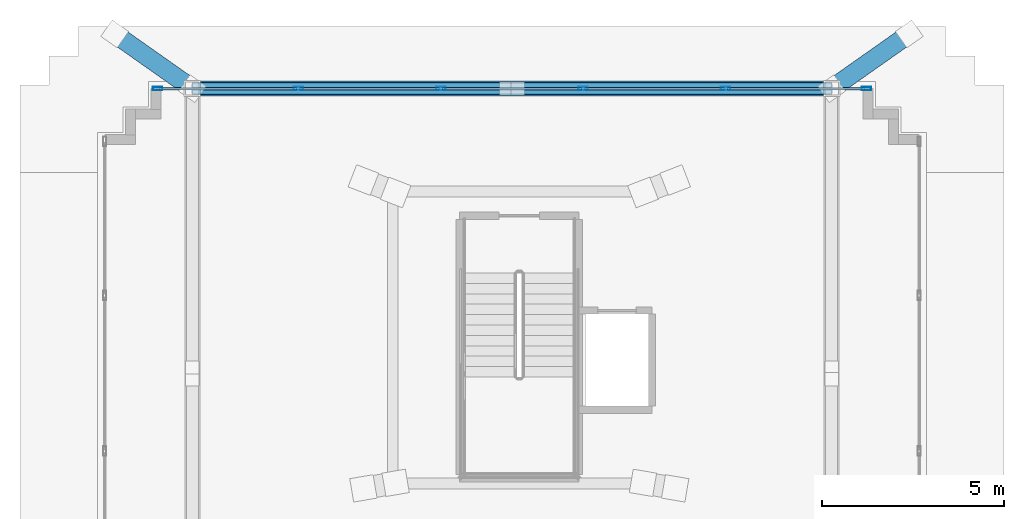
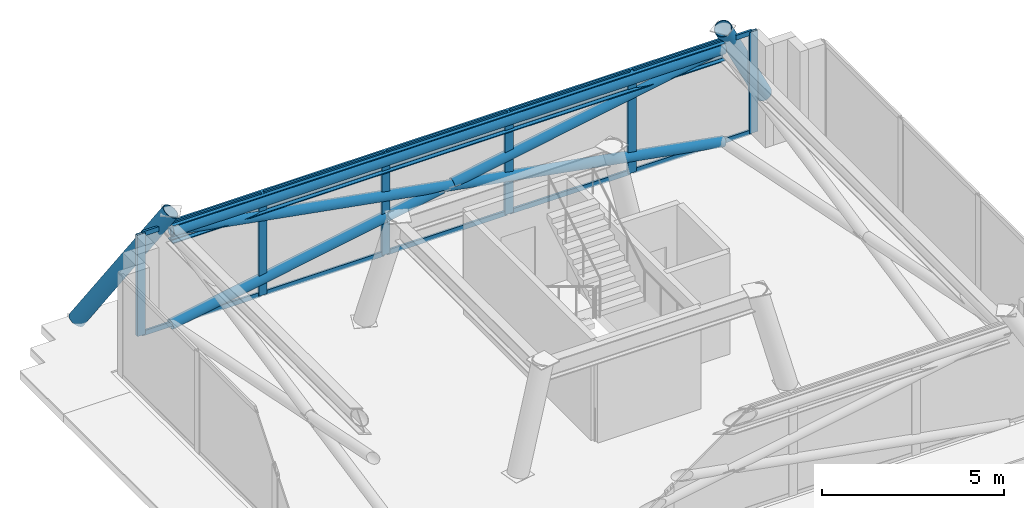
# One storey, part 4 of 8: 22 members, 1 beam, 1 element without a shape of its own.
"""IFC4 building model written with IfcOpenShell, lengths in metres."""

from ifc_helpers import new_model, si_unit, direction, frame, origin, origin_2d, place, context, subcontext, project, spatial, hollow_rectangle, hollow_circle, i_section, extrude, material, layer, layer_set, material_profile, profile_set, type_object, element, aggregate, save


model = new_model("IFC4")

# Units and contexts
model_context = context("Model", 3, precision=1e-05, world=origin(), true_north=direction((0.0, 1.0)))
body_context = subcontext(model_context, "Body", "Model", "MODEL_VIEW")
ifc_project = project(units=[si_unit("LENGTHUNIT", "METRE"), si_unit("AREAUNIT", "SQUARE_METRE"), si_unit("VOLUMEUNIT", "CUBIC_METRE"), si_unit("PLANEANGLEUNIT", "RADIAN"), si_unit("MASSUNIT", "GRAM", prefix="KILO")], contexts=[model_context])

# Site, building, storey
site_placement = place(None, origin())
site = spatial("IfcSite", under=ifc_project, at=site_placement, CompositionType="ELEMENT")
building_placement = place(site_placement, origin())
building = spatial("IfcBuilding", under=site, at=building_placement, Name="Qobustan Lattice House", CompositionType="ELEMENT")
storey_placement = place(building_placement, frame((0.0, 0.0, 289.199951171875)))
storey = spatial("IfcBuildingStorey", under=building, at=storey_placement, Name="L81", CompositionType="ELEMENT", Elevation=289.199951171875)

# Beam
ifc_material_1 = material(Name="Steel S355", Category="steel")
ifc_material_profile_1 = material_profile(ifc_material_1, i_section(OverallWidth=0.300048828125, OverallDepth=0.60009765625, WebThickness=0.015380859375, FlangeThickness=0.030029296875, FilletRadius=0.027099609375, at=origin_2d()), Name="HEB600")
ifc_profile_set_1 = profile_set([ifc_material_profile_1], Name="Steel S355")
beam_type = type_object("IfcBeamType", Name="BM-POD-HEB600", PredefinedType="USERDEFINED", material=ifc_profile_set_1)
beam_placement = place(storey_placement, frame((8.56640625, 6.20849609375, 3.10009765625), z_axis=(-1.0, 0.0, 0.0), x_axis=(0.0, -1.0, 0.0)))
element("IfcBeam", 1, at=beam_placement, inside=storey, type_object=beam_type, Name="L81 crown perimeter ring beam 3", ObjectType="GIRDER", PredefinedType="USERDEFINED", context=body_context, shape_type="SweptSolid", body=[
    extrude(i_section(OverallWidth=0.300048828125, OverallDepth=0.60009765625, WebThickness=0.015380859375, FlangeThickness=0.030029296875, FilletRadius=0.027099609375, at=origin_2d()), origin(), (0.0, 0.0, 1.0), 17.532958984375),
])

# Curtain wall, members
ifc_material_2 = material(Name="Anodised aluminium and low-E glazing", Category="aluminium")
ifc_layer = layer(ifc_material_2, 0.219970703125)
ifc_layer_set = layer_set([ifc_layer], Name="Anodised aluminium and low-E glazing")
curtain_wall_type = type_object("IfcCurtainWallType", Name="CW-CRN-01", PredefinedType="USERDEFINED", material=ifc_layer_set)
curtain_wall_placement = place(storey_placement, origin())
curtain_wall = element("IfcCurtainWall", 2, at=curtain_wall_placement, inside=storey, type_object=curtain_wall_type, Name="L81 glass-point crown faceted curtain wall 10", ObjectType="CURTAIN WALL", PredefinedType="USERDEFINED")
ifc_material_3 = material(Name="Anodised aluminium EN AW-6063 T6", Category="aluminium")
ifc_material_profile_2 = material_profile(ifc_material_3, hollow_rectangle(XDim=0.090087890625, YDim=0.260009765625, WallThickness=0.006103515625, at=origin_2d()), Name="CWM-CROWN-260x90")
ifc_profile_set_2 = profile_set([ifc_material_profile_2], Name="Anodised aluminium EN AW-6063 T6")
member_type_1 = type_object("IfcMemberType", Name="CWM-CRN-260", PredefinedType="MULLION", material=ifc_profile_set_2)
member_1_placement = place(storey_placement, frame((-9.92138671875, 6.20849609375, 0.0), z_axis=(0.0, 0.0, 1.0), x_axis=(0.0, 1.0, 0.0)))
member_1 = element("IfcMember", 3, at=member_1_placement, type_object=member_type_1, Name="CW-CR mullion 1", PredefinedType="MULLION", context=body_context, shape_type="SweptSolid", body=[
    extrude(hollow_rectangle(XDim=0.090087890625, YDim=0.260009765625, WallThickness=0.006103515625, at=origin_2d()), origin(), (0.0, 0.0, 1.0), 3.400146484375),
])
member_2_placement = place(storey_placement, frame((-6.059814453125, 6.20849609375, 0.0), z_axis=(0.0, 0.0, 1.0), x_axis=(0.0, 1.0, 0.0)))
member_2 = element("IfcMember", 4, at=member_2_placement, type_object=member_type_1, Name="CW-CR mullion 2", PredefinedType="MULLION", context=body_context, shape_type="SweptSolid", body=[
    extrude(hollow_rectangle(XDim=0.090087890625, YDim=0.260009765625, WallThickness=0.006103515625, at=origin_2d()), origin(), (0.0, 0.0, 1.0), 3.400146484375),
])
member_3_placement = place(storey_placement, frame((-2.1533203125, 6.20849609375, 0.0), z_axis=(0.0, 0.0, 1.0), x_axis=(0.0, 1.0, 0.0)))
member_3 = element("IfcMember", 5, at=member_3_placement, type_object=member_type_1, Name="CW-CR mullion 3", PredefinedType="MULLION", context=body_context, shape_type="SweptSolid", body=[
    extrude(hollow_rectangle(XDim=0.090087890625, YDim=0.260009765625, WallThickness=0.006103515625, at=origin_2d()), origin(), (0.0, 0.0, 1.0), 3.400146484375),
])
member_4_placement = place(storey_placement, frame((1.75341796875, 6.20849609375, 0.0), z_axis=(0.0, 0.0, 1.0), x_axis=(0.0, 1.0, 0.0)))
member_4 = element("IfcMember", 6, at=member_4_placement, type_object=member_type_1, Name="CW-CR mullion 4", PredefinedType="MULLION", context=body_context, shape_type="SweptSolid", body=[
    extrude(hollow_rectangle(XDim=0.090087890625, YDim=0.260009765625, WallThickness=0.006103515625, at=origin_2d()), origin(), (0.0, 0.0, 1.0), 3.400146484375),
])
member_5_placement = place(storey_placement, frame((5.659912109375, 6.20849609375, 0.0), z_axis=(0.0, 0.0, 1.0), x_axis=(0.0, 1.0, 0.0)))
member_5 = element("IfcMember", 7, at=member_5_placement, type_object=member_type_1, Name="CW-CR mullion 5", PredefinedType="MULLION", context=body_context, shape_type="SweptSolid", body=[
    extrude(hollow_rectangle(XDim=0.090087890625, YDim=0.260009765625, WallThickness=0.006103515625, at=origin_2d()), origin(), (0.0, 0.0, 1.0), 3.400146484375),
])
member_6_placement = place(storey_placement, frame((9.521484375, 6.20849609375, 0.0), z_axis=(0.0, 0.0, 1.0), x_axis=(0.0, 1.0, 0.0)))
member_6 = element("IfcMember", 8, at=member_6_placement, type_object=member_type_1, Name="CW-CR mullion 6", PredefinedType="MULLION", context=body_context, shape_type="SweptSolid", body=[
    extrude(hollow_rectangle(XDim=0.090087890625, YDim=0.260009765625, WallThickness=0.006103515625, at=origin_2d()), origin(), (0.0, 0.0, 1.0), 3.400146484375),
])
ifc_material_4 = material(Name="Anodised aluminium EN AW-6063 T6", Category="aluminium")
ifc_material_profile_3 = material_profile(ifc_material_4, hollow_rectangle(XDim=0.06494140625, YDim=0.159912109375, WallThickness=0.00390625, at=origin_2d()), Name="CWT-160x65")
ifc_profile_set_3 = profile_set([ifc_material_profile_3], Name="Anodised aluminium EN AW-6063 T6")
member_type_2 = type_object("IfcMemberType", Name="CWT-HOR-160", PredefinedType="USERDEFINED", material=ifc_profile_set_3)
member_7_placement = place(storey_placement, frame((-9.87646484375, 6.20849609375, 0.032470703125), z_axis=(1.0, 0.0, 0.0), x_axis=(0.0, 1.0, 0.0)))
member_7 = element("IfcMember", 9, at=member_7_placement, type_object=member_type_2, Name="CW-CR transom 1.1", ObjectType="TRANSOM", PredefinedType="USERDEFINED", context=body_context, shape_type="SweptSolid", body=[
    extrude(hollow_rectangle(XDim=0.06494140625, YDim=0.159912109375, WallThickness=0.00390625, at=origin_2d()), origin(), (0.0, 0.0, 1.0), 3.771484375),
])
member_8_placement = place(storey_placement, frame((-9.87646484375, 6.20849609375, 3.367431640625), z_axis=(1.0, 0.0, 0.0), x_axis=(0.0, 1.0, 0.0)))
member_8 = element("IfcMember", 10, at=member_8_placement, type_object=member_type_2, Name="CW-CR transom 1.2", ObjectType="TRANSOM", PredefinedType="USERDEFINED", context=body_context, shape_type="SweptSolid", body=[
    extrude(hollow_rectangle(XDim=0.06494140625, YDim=0.159912109375, WallThickness=0.00390625, at=origin_2d()), origin(), (0.0, 0.0, 1.0), 3.771484375),
])
member_9_placement = place(storey_placement, frame((-6.014892578125, 6.20849609375, 0.032470703125), z_axis=(1.0, 0.0, 0.0), x_axis=(0.0, 1.0, 0.0)))
member_9 = element("IfcMember", 11, at=member_9_placement, type_object=member_type_2, Name="CW-CR transom 2.1", ObjectType="TRANSOM", PredefinedType="USERDEFINED", context=body_context, shape_type="SweptSolid", body=[
    extrude(hollow_rectangle(XDim=0.06494140625, YDim=0.159912109375, WallThickness=0.00390625, at=origin_2d()), origin(), (0.0, 0.0, 1.0), 3.816650390625),
])
member_10_placement = place(storey_placement, frame((-6.014892578125, 6.20849609375, 3.367431640625), z_axis=(1.0, 0.0, 0.0), x_axis=(0.0, 1.0, 0.0)))
member_10 = element("IfcMember", 12, at=member_10_placement, type_object=member_type_2, Name="CW-CR transom 2.2", ObjectType="TRANSOM", PredefinedType="USERDEFINED", context=body_context, shape_type="SweptSolid", body=[
    extrude(hollow_rectangle(XDim=0.06494140625, YDim=0.159912109375, WallThickness=0.00390625, at=origin_2d()), origin(), (0.0, 0.0, 1.0), 3.816650390625),
])
member_11_placement = place(storey_placement, frame((-2.1083984375, 6.20849609375, 0.032470703125), z_axis=(1.0, 0.0, 0.0), x_axis=(0.0, 1.0, 0.0)))
member_11 = element("IfcMember", 13, at=member_11_placement, type_object=member_type_2, Name="CW-CR transom 3.1", ObjectType="TRANSOM", PredefinedType="USERDEFINED", context=body_context, shape_type="SweptSolid", body=[
    extrude(hollow_rectangle(XDim=0.06494140625, YDim=0.159912109375, WallThickness=0.00390625, at=origin_2d()), origin(), (0.0, 0.0, 1.0), 3.816650390625),
])
member_12_placement = place(storey_placement, frame((-2.1083984375, 6.20849609375, 3.367431640625), z_axis=(1.0, 0.0, 0.0), x_axis=(0.0, 1.0, 0.0)))
member_12 = element("IfcMember", 14, at=member_12_placement, type_object=member_type_2, Name="CW-CR transom 3.2", ObjectType="TRANSOM", PredefinedType="USERDEFINED", context=body_context, shape_type="SweptSolid", body=[
    extrude(hollow_rectangle(XDim=0.06494140625, YDim=0.159912109375, WallThickness=0.00390625, at=origin_2d()), origin(), (0.0, 0.0, 1.0), 3.816650390625),
])
member_13_placement = place(storey_placement, frame((1.79833984375, 6.20849609375, 0.032470703125), z_axis=(1.0, 0.0, 0.0), x_axis=(0.0, 1.0, 0.0)))
member_13 = element("IfcMember", 15, at=member_13_placement, type_object=member_type_2, Name="CW-CR transom 4.1", ObjectType="TRANSOM", PredefinedType="USERDEFINED", context=body_context, shape_type="SweptSolid", body=[
    extrude(hollow_rectangle(XDim=0.06494140625, YDim=0.159912109375, WallThickness=0.00390625, at=origin_2d()), origin(), (0.0, 0.0, 1.0), 3.816650390625),
])
member_14_placement = place(storey_placement, frame((1.79833984375, 6.20849609375, 3.367431640625), z_axis=(1.0, 0.0, 0.0), x_axis=(0.0, 1.0, 0.0)))
member_14 = element("IfcMember", 16, at=member_14_placement, type_object=member_type_2, Name="CW-CR transom 4.2", ObjectType="TRANSOM", PredefinedType="USERDEFINED", context=body_context, shape_type="SweptSolid", body=[
    extrude(hollow_rectangle(XDim=0.06494140625, YDim=0.159912109375, WallThickness=0.00390625, at=origin_2d()), origin(), (0.0, 0.0, 1.0), 3.816650390625),
])
member_15_placement = place(storey_placement, frame((5.704833984375, 6.20849609375, 0.032470703125), z_axis=(1.0, 0.0, 0.0), x_axis=(0.0, 1.0, 0.0)))
member_15 = element("IfcMember", 17, at=member_15_placement, type_object=member_type_2, Name="CW-CR transom 5.1", ObjectType="TRANSOM", PredefinedType="USERDEFINED", context=body_context, shape_type="SweptSolid", body=[
    extrude(hollow_rectangle(XDim=0.06494140625, YDim=0.159912109375, WallThickness=0.00390625, at=origin_2d()), origin(), (0.0, 0.0, 1.0), 3.771728515625),
])
member_16_placement = place(storey_placement, frame((5.704833984375, 6.20849609375, 3.367431640625), z_axis=(1.0, 0.0, 0.0), x_axis=(0.0, 1.0, 0.0)))
member_16 = element("IfcMember", 18, at=member_16_placement, type_object=member_type_2, Name="CW-CR transom 5.2", ObjectType="TRANSOM", PredefinedType="USERDEFINED", context=body_context, shape_type="SweptSolid", body=[
    extrude(hollow_rectangle(XDim=0.06494140625, YDim=0.159912109375, WallThickness=0.00390625, at=origin_2d()), origin(), (0.0, 0.0, 1.0), 3.771728515625),
])
aggregate(curtain_wall, [member_1, member_2, member_3, member_4, member_5, member_6, member_7, member_8, member_9, member_10, member_11, member_12, member_13, member_14, member_15, member_16])

# Members
ifc_material_5 = material(Name="Steel S355", Category="steel")
ifc_material_profile_4 = material_profile(ifc_material_5, hollow_circle(Radius=0.161865234375, WallThickness=0.012451171875, at=origin_2d()), Name="CHS323.9x12.5")
ifc_profile_set_4 = profile_set([ifc_material_profile_4], Name="Steel S355")
member_type_3 = type_object("IfcMemberType", Name="MEM-CBR-CHS324", PredefinedType="BRACE", material=ifc_profile_set_4)
member_17_placement = place(storey_placement, frame((8.56640625, 6.20849609375, 0.01513671875), z_axis=(-0.98409647917, 0.0, 0.177634793003), x_axis=(0.0, -1.0, 0.0)))
element("IfcMember", 19, at=member_17_placement, inside=storey, type_object=member_type_3, Name="L81 crown diagrid continuous brace 3A", PredefinedType="BRACE", context=body_context, shape_type="SweptSolid", body=[
    extrude(hollow_circle(Radius=0.161865234375, WallThickness=0.012451171875, at=origin_2d()), origin(), (0.0, 0.0, 1.0), 17.81640625),
])
member_18_placement = place(storey_placement, frame((-8.966552734375, 6.20849609375, 0.01513671875), z_axis=(0.984098373943, 0.0, 0.177624295646), x_axis=(0.0, 1.0, 0.0)))
element("IfcMember", 20, at=member_18_placement, inside=storey, type_object=member_type_3, Name="L81 crown diagrid split brace 3B lower", PredefinedType="BRACE", context=body_context, shape_type="SweptSolid", body=[
    extrude(hollow_circle(Radius=0.161865234375, WallThickness=0.012451171875, at=origin_2d()), origin(), (0.0, 0.0, 1.0), 8.740234375),
])
member_19_placement = place(storey_placement, frame((-0.03466796875, 6.20849609375, 1.62744140625), z_axis=(0.984097492617, 0.0, 0.177629178415), x_axis=(0.0, 1.0, 0.0)))
element("IfcMember", 21, at=member_19_placement, inside=storey, type_object=member_type_3, Name="L81 crown diagrid split brace 3B upper", PredefinedType="BRACE", context=body_context, shape_type="SweptSolid", body=[
    extrude(hollow_circle(Radius=0.161865234375, WallThickness=0.012451171875, at=origin_2d()), origin(), (0.0, 0.0, 1.0), 8.739990234375),
])
ifc_material_6 = material(Name="Steel S355", Category="steel")
ifc_material_profile_5 = material_profile(ifc_material_6, hollow_circle(Radius=0.203125, WallThickness=0.01611328125, at=origin_2d()), Name="CHS406.4x16")
ifc_profile_set_5 = profile_set([ifc_material_profile_5], Name="Steel S355")
member_type_4 = type_object("IfcMemberType", Name="MEM-RNG-CHS406", PredefinedType="CHORD", material=ifc_profile_set_5)
member_20_placement = place(storey_placement, frame((8.56640625, 6.20849609375, 3.179931640625), z_axis=(-1.0, 0.0, 0.0), x_axis=(0.0, -1.0, 0.0)))
element("IfcMember", 22, at=member_20_placement, inside=storey, type_object=member_type_4, Name="L81 crown ring chord 3", PredefinedType="CHORD", context=body_context, shape_type="SweptSolid", body=[
    extrude(hollow_circle(Radius=0.203125, WallThickness=0.01611328125, at=origin_2d()), origin(), (0.0, 0.0, 1.0), 17.532958984375),
])
ifc_material_7 = material(Name="Steel S355", Category="steel")
ifc_material_profile_6 = material_profile(ifc_material_7, hollow_circle(Radius=0.25390625, WallThickness=0.02001953125, at=origin_2d()), Name="CHS508x20")
ifc_profile_set_6 = profile_set([ifc_material_profile_6], Name="Steel S355")
member_type_5 = type_object("IfcMemberType", Name="MEM-STR-CHS508", PredefinedType="STRUT", material=ifc_profile_set_6)
member_21_placement = place(storey_placement, frame((10.693603515625, 7.70654296875, 0.0), z_axis=(-0.461894421693, -0.325282241652, 0.825133326484), x_axis=(0.575783920243, -0.817601906303, 0.0)))
element("IfcMember", 23, at=member_21_placement, inside=storey, type_object=member_type_5, Name="L81 crown corner raking strut 3", PredefinedType="STRUT", context=body_context, shape_type="SweptSolid", body=[
    extrude(hollow_circle(Radius=0.25390625, WallThickness=0.02001953125, at=origin_2d()), origin(), (0.0, 0.0, 1.0), 4.60546875),
])
member_22_placement = place(storey_placement, frame((-11.093505859375, 7.70654296875, 0.0), z_axis=(0.461852718006, -0.325290206346, 0.825153530276), x_axis=(0.575828097695, 0.817570793207, 0.0)))
element("IfcMember", 24, at=member_22_placement, inside=storey, type_object=member_type_5, Name="L81 crown corner raking strut 4", PredefinedType="STRUT", context=body_context, shape_type="SweptSolid", body=[
    extrude(hollow_circle(Radius=0.25390625, WallThickness=0.02001953125, at=origin_2d()), origin(), (0.0, 0.0, 1.0), 4.605224609375),
])

save(model, "model.ifc")
